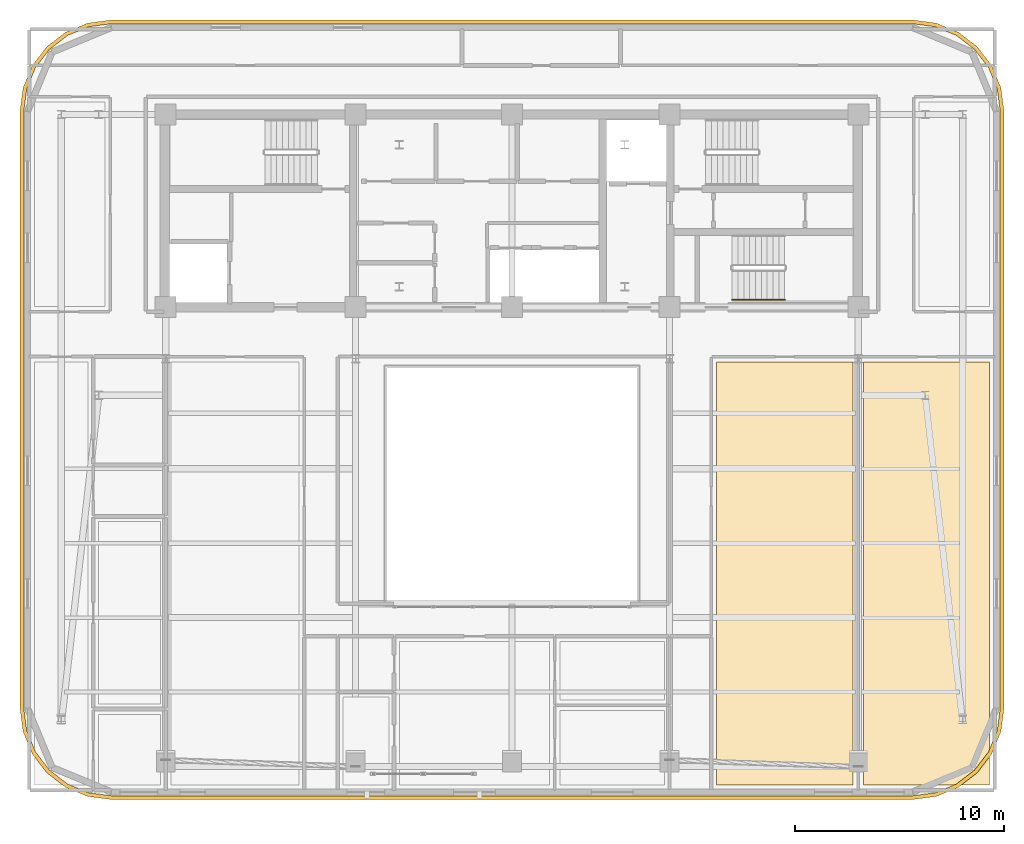
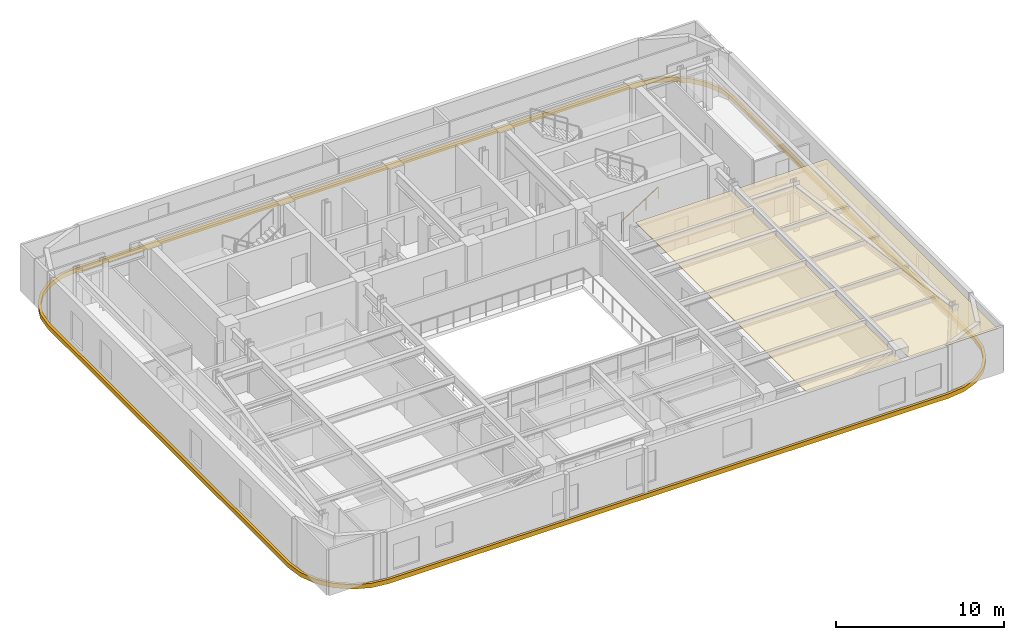
# One storey, part 13 of 14: 3 coverings, 1 railing.
"""IFC4 building model written with IfcOpenShell, lengths in metres."""

from ifc_helpers import new_model, si_unit, direction, frame, origin, origin_2d, place, context, subcontext, project, spatial, polyline, rectangle, outline, extrude, material, layer, layer_set, type_object, element, save


model = new_model("IFC4")

# Units and contexts
model_context = context("Model", 3, precision=1e-05, world=origin(), true_north=direction((0.0, 1.0)))
body_context = subcontext(model_context, "Body", "Model", "MODEL_VIEW")
ifc_project = project(units=[si_unit("LENGTHUNIT", "METRE"), si_unit("AREAUNIT", "SQUARE_METRE"), si_unit("VOLUMEUNIT", "CUBIC_METRE"), si_unit("PLANEANGLEUNIT", "RADIAN"), si_unit("MASSUNIT", "GRAM", prefix="KILO")], contexts=[model_context])

# Site, building, storey
site_placement = place(None, origin())
site = spatial("IfcSite", under=ifc_project, at=site_placement, CompositionType="ELEMENT")
building_placement = place(site_placement, origin())
building = spatial("IfcBuilding", under=site, at=building_placement, Name="Zarnavel Station Tower", CompositionType="ELEMENT")
storey_placement = place(building_placement, frame((0.0, 0.0, 222.0)))
storey = spatial("IfcBuildingStorey", under=building, at=storey_placement, Name="L60", CompositionType="ELEMENT", Elevation=222.0)

# Coverings
ifc_material_1 = material(Name="Perforated Gypsum and Mineral-Wool Acoustic Ceiling", Category="concrete")
ifc_layer = layer(ifc_material_1, 0.0400390625)
ifc_layer_set = layer_set([ifc_layer], Name="COV_CEIL_ACOUSTIC")
covering_type_1 = type_object("IfcCoveringType", Name="COV_CEIL_ACOUSTIC", PredefinedType="CEILING", material=ifc_layer_set)
covering_1_placement = place(storey_placement, frame((0.0, 0.0, 3.02001953125)))
element("IfcCovering", 1, at=covering_1_placement, inside=storey, type_object=covering_type_1, Name="L60 L59SPA Acoustic Ceiling", PredefinedType="CEILING", context=body_context, shape_type="SweptSolid", body=[
    extrude(outline(polyline([(38.60009765625, 4.909912109375), (45.14990234375, 4.909912109375), (45.14990234375, 25.199951171875), (38.60009765625, 25.199951171875), (38.60009765625, 4.909912109375)])), origin(), (0.0, 0.0, 1.0), 0.0400390625),
])
covering_2_placement = place(storey_placement, frame((0.0, 0.0, 3.02001953125)))
element("IfcCovering", 2, at=covering_2_placement, inside=storey, type_object=covering_type_1, Name="L60 L59TEA Acoustic Ceiling", PredefinedType="CEILING", context=body_context, shape_type="SweptSolid", body=[
    extrude(outline(polyline([(45.64990234375, 4.909912109375), (51.68994140625, 4.909912109375), (51.68994140625, 25.199951171875), (45.64990234375, 25.199951171875), (45.64990234375, 4.909912109375)])), origin(), (0.0, 0.0, 1.0), 0.0400390625),
])
ifc_material_2 = material(Name="Precast concrete C45/55 (Pale Travertine Slab Band)", Category="masonry")
covering_type_2 = type_object("IfcCoveringType", Name="COV_TRAVERTINE_BAND", PredefinedType="CLADDING", material=ifc_material_2)
covering_3_placement = place(storey_placement, frame((0.0, 0.0, -0.260009765625)))
element("IfcCovering", 3, at=covering_3_placement, inside=storey, type_object=covering_type_2, Name="L60 Pale Travertine Slab-Edge Band", PredefinedType="CLADDING", context=body_context, shape_type="SweptSolid", body=[
    extrude(outline(polyline([(48.0, 4.219970703125), (49.133544921875, 4.369140625), (50.18994140625, 4.806884765625), (51.09716796875, 5.5029296875), (51.793212890625, 6.409912109375), (52.230712890625, 7.46630859375), (52.3798828125, 8.60009765625), (52.3798828125, 37.199951171875), (52.230712890625, 38.33349609375), (51.793212890625, 39.389892578125), (51.09716796875, 40.297119140625), (50.18994140625, 40.9931640625), (49.133544921875, 41.430908203125), (48.0, 41.580078125), (9.60009765625, 41.580078125), (8.46630859375, 41.430908203125), (7.409912109375, 40.9931640625), (6.5029296875, 40.297119140625), (5.806884765625, 39.389892578125), (5.369140625, 38.33349609375), (5.219970703125, 37.199951171875), (5.219970703125, 8.60009765625), (5.369140625, 7.46630859375), (5.806884765625, 6.409912109375), (6.5029296875, 5.5029296875), (7.409912109375, 4.806884765625), (8.46630859375, 4.369140625), (9.60009765625, 4.219970703125), (48.0, 4.219970703125)]), holes=[polyline([(48.0, 4.39990234375), (49.0869140625, 4.543212890625), (50.10009765625, 4.962646484375), (50.9697265625, 5.630126953125), (51.63720703125, 6.5), (52.056884765625, 7.512939453125), (52.199951171875, 8.60009765625), (52.199951171875, 37.199951171875), (52.056884765625, 38.287109375), (51.63720703125, 39.300048828125), (50.9697265625, 40.169921875), (50.10009765625, 40.83740234375), (49.0869140625, 41.2568359375), (48.0, 41.39990234375), (9.60009765625, 41.39990234375), (8.512939453125, 41.2568359375), (7.5, 40.83740234375), (6.630126953125, 40.169921875), (5.962646484375, 39.300048828125), (5.543212890625, 38.287109375), (5.39990234375, 37.199951171875), (5.39990234375, 8.60009765625), (5.543212890625, 7.512939453125), (5.962646484375, 6.5), (6.630126953125, 5.630126953125), (7.5, 4.962646484375), (8.512939453125, 4.543212890625), (9.60009765625, 4.39990234375), (48.0, 4.39990234375)])]), origin(), (0.0, 0.0, 1.0), 0.320068359375),
])

# Railing
ifc_material_3 = material(Name="Brushed Stainless Steel S355J2 Handrail", Category="steel")
railing_type = type_object("IfcRailingType", Name="HR_STAIR_900", PredefinedType="HANDRAIL", material=ifc_material_3)
railing_placement = place(storey_placement, frame((39.35009765625, 28.169921875, 0.179931640625)))
element("IfcRailing", 4, at=railing_placement, inside=storey, type_object=railing_type, Name="L60 ST3 stair handrail 1", PredefinedType="HANDRAIL", context=body_context, shape_type="SweptSolid", body=[
    extrude(rectangle(XDim=0.048095703125, YDim=0.048095703125, at=origin_2d()), frame((0.001708984375, 0.0, 0.876953125), z_axis=(0.841162588446, 0.0, 0.540782303519), x_axis=(0.0, 1.0, 0.0)), (0.0, 0.0, 1.0), 2.991943359375),
    extrude(rectangle(XDim=0.0419921875, YDim=0.0419921875, at=origin_2d()), origin(), (0.0, 0.0, 1.0), 0.851806640625),
    extrude(rectangle(XDim=0.0419921875, YDim=0.0419921875, at=origin_2d()), frame((0.840087890625, 0.0, 0.5400390625)), (0.0, 0.0, 1.0), 0.851806640625),
    extrude(rectangle(XDim=0.0419921875, YDim=0.0419921875, at=origin_2d()), frame((1.679931640625, 0.0, 1.080078125)), (0.0, 0.0, 1.0), 0.851806640625),
    extrude(rectangle(XDim=0.0419921875, YDim=0.0419921875, at=origin_2d()), frame((2.52001953125, 0.0, 1.6201171875)), (0.0, 0.0, 1.0), 0.851806640625),
])

save(model, "model.ifc")
